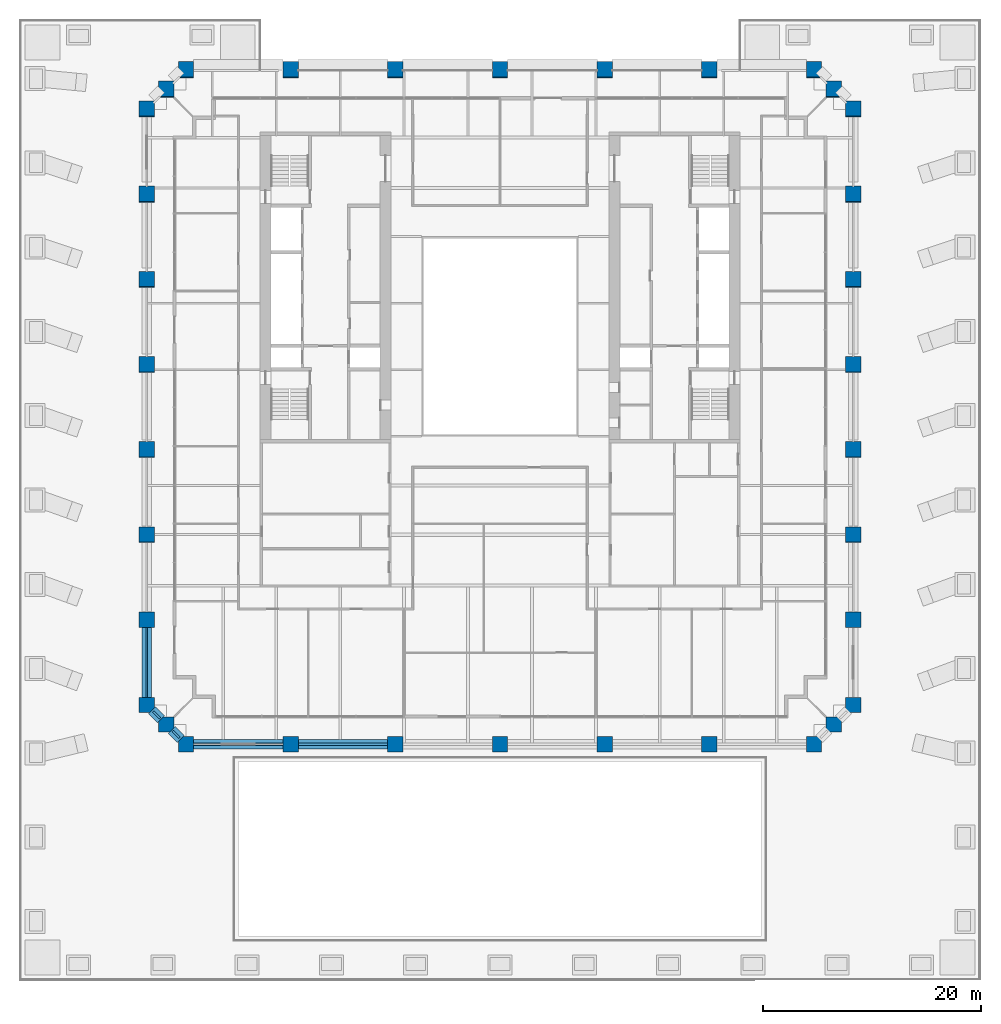
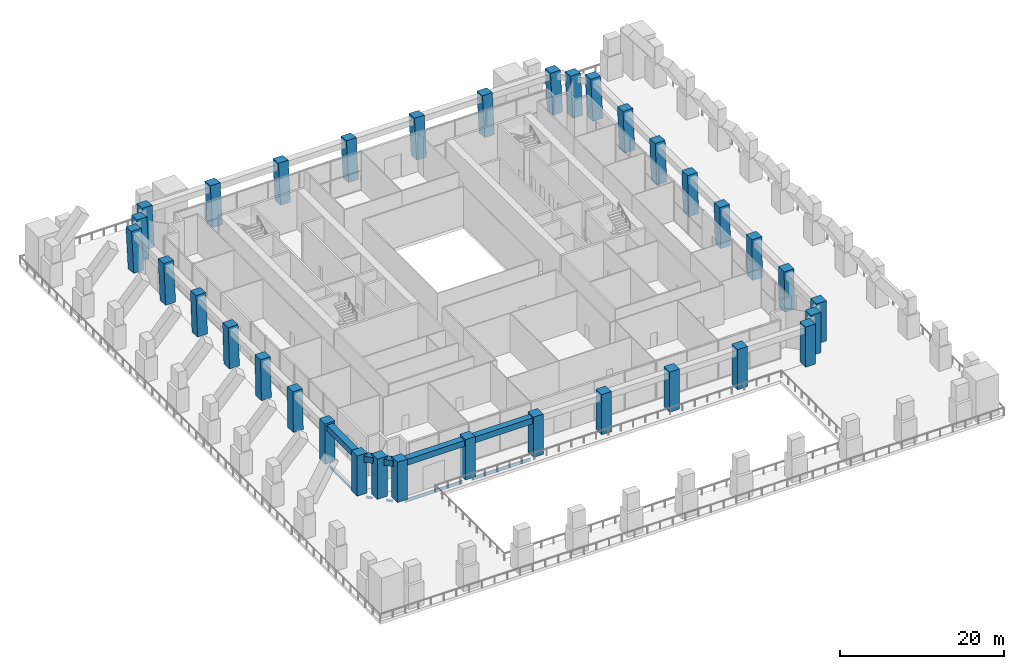
# One storey, part 1 of 20: 34 columns, 10 beams.
"""IFC4 building model written with IfcOpenShell, lengths in metres."""

import ifcopenshell
import ifcopenshell.guid

model = None  # the IFC model being written
_history = None  # IfcOwnerHistory: only IFC2X3 demands one
_inside = {}  # id of a spatial element -> (the spatial element, [elements in it])
_under = {}  # id of a project, library or spatial element -> (it, [spatial elements below it])
_declared = {}  # id of a project -> (the project, [libraries it declares])
_typed = {}  # id of a type object -> (the type object, [elements of that type])
_made_of = {}  # id of a material, layer set ... -> (it, [elements and type objects made of it])


def new_model(schema):
    """Start an empty IFC model of exactly this schema.

    Asked for "IFC4X3", IfcOpenShell would pick the latest addendum, in which some entities
    have other attributes; the version numbers below select the first issue.
    IFC2X3 requires an IfcOwnerHistory on every rooted entity: one is made here for all.
    """
    global model, _history
    if schema == "IFC4X3":
        model = ifcopenshell.file(schema_version=(4, 3, 0, 0))
    else:
        model = ifcopenshell.file(schema=schema)
    _inside.clear()
    _under.clear()
    _declared.clear()
    _typed.clear()
    _made_of.clear()
    _history = None
    if model.schema == "IFC2X3":
        org = make("IfcOrganization", Name="unknown")
        user = make(
            "IfcPersonAndOrganization",
            ThePerson=make("IfcPerson", FamilyName="unknown"),
            TheOrganization=org,
        )
        app = make(
            "IfcApplication",
            ApplicationDeveloper=org,
            Version="unknown",
            ApplicationFullName="unknown",
            ApplicationIdentifier="unknown",
        )
        _history = make(
            "IfcOwnerHistory",
            OwningUser=user,
            OwningApplication=app,
            ChangeAction="ADDED",
            CreationDate=0,
        )
    return model


def make(cls, **values):
    """One entity of the class cls with the attributes given. An attribute that is None is left unset."""
    return model.create_entity(
        cls, **{name: value for name, value in values.items() if value is not None}
    )


def rooted(cls, **values):
    """An entity with a GlobalId (a new one), such as an element, a storey or a relation."""
    return make(cls, GlobalId=ifcopenshell.guid.new(), OwnerHistory=_history, **values)


def si_unit(unit_type, name, prefix=None):
    """IfcSIUnit, for example si_unit("LENGTHUNIT", "METRE", prefix="MILLI")."""
    return make("IfcSIUnit", UnitType=unit_type, Prefix=prefix, Name=name)


def assignment(units):
    """IfcUnitAssignment: the units of a project."""
    return None if units is None else make("IfcUnitAssignment", Units=units)


def point(xyz):
    """IfcCartesianPoint."""
    return None if xyz is None else make("IfcCartesianPoint", Coordinates=xyz)


def direction(xyz):
    """IfcDirection."""
    return None if xyz is None else make("IfcDirection", DirectionRatios=xyz)


def frame(location, z_axis=None, x_axis=None):
    """IfcAxis2Placement3D, a coordinate frame: its origin and axes. An axis left out is left unset."""
    return make(
        "IfcAxis2Placement3D",
        Location=point(location),
        Axis=direction(z_axis),
        RefDirection=direction(x_axis),
    )


def frame_2d(location, x_axis=None):
    """IfcAxis2Placement2D, a coordinate frame in the plane: its origin and x axis."""
    return make(
        "IfcAxis2Placement2D", Location=point(location), RefDirection=direction(x_axis)
    )


def origin():
    """The frame at (0, 0, 0) with its axes left unset."""
    return frame((0.0, 0.0, 0.0))


def origin_2d():
    """The frame at (0, 0) in the plane with its x axis left unset."""
    return frame_2d((0.0, 0.0))


def place(relative_to, where):
    """IfcLocalPlacement: puts the frame where relative to a parent placement (None: the world)."""
    return make(
        "IfcLocalPlacement", PlacementRelTo=relative_to, RelativePlacement=where
    )


def context(
    kind, dimensions, precision=None, world=None, true_north=None, identifier=None
):
    """IfcGeometricRepresentationContext, for example the 3D "Model" context."""
    return make(
        "IfcGeometricRepresentationContext",
        ContextIdentifier=identifier,
        ContextType=kind,
        CoordinateSpaceDimension=dimensions,
        Precision=precision,
        WorldCoordinateSystem=world,
        TrueNorth=true_north,
    )


def subcontext(parent, identifier, kind, view, scale=None):
    """IfcGeometricRepresentationSubContext, for example "Body" below "Model"."""
    return make(
        "IfcGeometricRepresentationSubContext",
        ContextIdentifier=identifier,
        ContextType=kind,
        ParentContext=parent,
        TargetScale=scale,
        TargetView=view,
    )


def project(units=None, contexts=None):
    """IfcProject with its units and contexts."""
    return rooted(
        "IfcProject",
        Name="project",
        RepresentationContexts=contexts,
        UnitsInContext=assignment(units),
    )


def spatial(cls, under=None, at=None, **own):
    """A site, building, storey or space (cls), placed at a placement, below another one or the project."""
    s = rooted(cls, ObjectPlacement=at, **own)
    if under is not None:
        _under.setdefault(under.id(), (under, []))[1].append(s)
    return s


def profile(cls, at=None, kind="AREA", **sizes):
    """A parametric profile (cls). Its sizes go by their IFC names, for example OverallWidth=200.0."""
    return make(cls, ProfileType=kind, Position=at, **sizes)


def rectangle(**sizes):
    """IfcRectangleProfileDef."""
    return profile("IfcRectangleProfileDef", **sizes)


def i_section(**sizes):
    """IfcIShapeProfileDef."""
    return profile("IfcIShapeProfileDef", **sizes)


def extrude(swept, where, along, depth):
    """IfcExtrudedAreaSolid: the profile swept, set in the frame where, extruded along a direction by depth."""
    return make(
        "IfcExtrudedAreaSolid",
        SweptArea=swept,
        Position=where,
        ExtrudedDirection=direction(along),
        Depth=depth,
    )


def shape(context_of_items, identifier, shape_type, items):
    """IfcShapeRepresentation: the items that make up one representation, for example the "Body"."""
    return make(
        "IfcShapeRepresentation",
        ContextOfItems=context_of_items,
        RepresentationIdentifier=identifier,
        RepresentationType=shape_type,
        Items=items,
    )


def material(Name=None, Category=None):
    """IfcMaterial."""
    return make("IfcMaterial", Name=Name, Category=Category)


def material_profile(
    of_material, cross_section, Name=None, Category=None, Priority=None
):
    """IfcMaterialProfile: a cross section and its material."""
    return make(
        "IfcMaterialProfile",
        Name=Name,
        Material=of_material,
        Profile=cross_section,
        Priority=Priority,
        Category=Category,
    )


def profile_set(profiles, Name=None, composite=None):
    """IfcMaterialProfileSet."""
    return make(
        "IfcMaterialProfileSet",
        Name=Name,
        MaterialProfiles=profiles,
        CompositeProfile=composite,
    )


def made_of(thing, what):
    """Note that an element or type object is made of a material, layer set ...; save() writes the relation."""
    if what is not None:
        _made_of.setdefault(what.id(), (what, []))[1].append(thing)
    return thing


def type_object(cls, material=None, **own):
    """A type object (cls), such as IfcWallType, which elements share."""
    return made_of(rooted(cls, **own), material)


def element(
    cls,
    number,
    at=None,
    inside=None,
    cuts=None,
    type_object=None,
    material=None,
    context=None,
    identifier="Body",
    shape_type=None,
    held_by="IfcProductDefinitionShape",
    body=None,
    shapes=None,
    **own,
):
    """One element of the class cls, such as IfcWall. Its Tag is "e" and its number.

    at: its placement. inside: the storey or other place that contains it. cuts: it is an
    opening in that element (IfcRelVoidsElement). A single representation is given by context,
    identifier, shape_type and body (its items); several are given by shapes. held_by: the class
    of the entity that holds the representations. save() writes the other relations.
    """
    e = rooted(cls, Tag="e%d" % number, ObjectPlacement=at, **own)
    if body is not None:
        shapes = [shape(context, identifier, shape_type, body)]
    if shapes is not None:
        e.Representation = make(held_by, Representations=shapes)
    if inside is not None:
        _inside.setdefault(inside.id(), (inside, []))[1].append(e)
    if cuts is not None:
        rooted(
            "IfcRelVoidsElement", RelatingBuildingElement=cuts, RelatedOpeningElement=e
        )
    if type_object is not None:
        _typed.setdefault(type_object.id(), (type_object, []))[1].append(e)
    return made_of(e, material)


def aggregate(whole, parts):
    """IfcRelAggregates: a whole, such as a stair, and the parts it consists of."""
    return rooted("IfcRelAggregates", RelatingObject=whole, RelatedObjects=parts)


def save(model, path):
    """Write the relations noted so far, then the file.

    IfcRelAggregates (storeys below a building ...), IfcRelContainedInSpatialStructure (elements
    in a storey), IfcRelDefinesByType, IfcRelAssociatesMaterial and IfcRelDeclares: one each for
    every whole, place, type object, material and project.
    """
    for whole, parts in _under.values():
        aggregate(whole, parts)
    for where, things in _inside.values():
        rooted(
            "IfcRelContainedInSpatialStructure",
            RelatedElements=things,
            RelatingStructure=where,
        )
    for kind, things in _typed.values():
        rooted("IfcRelDefinesByType", RelatedObjects=things, RelatingType=kind)
    for what, things in _made_of.values():
        rooted("IfcRelAssociatesMaterial", RelatedObjects=things, RelatingMaterial=what)
    for by, libraries in _declared.values():
        rooted("IfcRelDeclares", RelatingContext=by, RelatedDefinitions=libraries)
    model.write(path)


model = new_model("IFC4")

# Units and contexts
model_context = context("Model", 3, precision=1e-05, world=origin(), true_north=direction((0.0, 1.0)))
body_context = subcontext(model_context, "Body", "Model", "MODEL_VIEW")
ifc_project = project(units=[si_unit("LENGTHUNIT", "METRE"), si_unit("AREAUNIT", "SQUARE_METRE"), si_unit("VOLUMEUNIT", "CUBIC_METRE"), si_unit("PLANEANGLEUNIT", "RADIAN"), si_unit("MASSUNIT", "GRAM", prefix="KILO")], contexts=[model_context])

# Site, building, storey
site_placement = place(None, origin())
site = spatial("IfcSite", under=ifc_project, at=site_placement, CompositionType="ELEMENT")
building_placement = place(site_placement, origin())
building = spatial("IfcBuilding", under=site, at=building_placement, Name="Ogive Exchange Tower", CompositionType="ELEMENT")
storey_placement = place(building_placement, frame((0.0, 0.0, 33.60009765625)))
storey = spatial("IfcBuildingStorey", under=building, at=storey_placement, Name="L06", CompositionType="ELEMENT", Elevation=33.60009765625)

# Columns
ifc_material_1 = material(Name="Precast concrete C70/85 (limestone faced)", Category="masonry")
ifc_material_profile_1 = material_profile(ifc_material_1, rectangle(XDim=1.39990234375, YDim=1.39990234375, at=origin_2d()), Name="1400 x 1400")
ifc_profile_set_1 = profile_set([ifc_material_profile_1], Name="Precast concrete C70/85 (limestone faced)")
column_type = type_object("IfcColumnType", Name="Precast exoskeleton leg 1400 x 1400 C70/85", PredefinedType="COLUMN", material=ifc_profile_set_1)
for number, where, z_axis, x_axis, name in (
    (1, (-28.800048828125, -30.39990234375, 0.0), (0.0, 0.0, 1.0), (1.0, 0.0, 0.0), "Exoskeleton leg 1"),
    (2, (-19.199951171875, -30.39990234375, 0.0), (0.0, 0.0, 1.0), (1.0, 0.0, 0.0), "Exoskeleton leg 2"),
    (3, (-9.60009765625, -30.39990234375, 0.0), (0.0, 0.0, 1.0), (1.0, 0.0, 0.0), "Exoskeleton leg 3"),
    (4, (0.0, -30.39990234375, 0.0), (0.0, 0.0, 1.0), (1.0, 0.0, 0.0), "Exoskeleton leg 4"),
    (5, (9.60009765625, -30.39990234375, 0.0), (0.0, 0.0, 1.0), (1.0, 0.0, 0.0), "Exoskeleton leg 5"),
    (6, (19.199951171875, -30.39990234375, 0.0), (0.0, 0.0, 1.0), (1.0, 0.0, 0.0), "Exoskeleton leg 6"),
    (7, (28.800048828125, -30.39990234375, 0.0), (0.0, 0.0, 1.0), (1.0, 0.0, 0.0), "Exoskeleton leg 7"),
    (8, (32.39990234375, -26.800048828125, 0.0), (0.0, 0.0, 1.0), (1.0, 0.0, 0.0), "Exoskeleton leg 8"),
):
    element("IfcColumn", number, at=place(storey_placement, frame(where, z_axis=z_axis, x_axis=x_axis)), inside=storey, type_object=column_type, Name=name, PredefinedType="COLUMN", context=body_context, shape_type="SweptSolid", body=[
        extrude(rectangle(XDim=1.39990234375, YDim=1.39990234375, at=origin_2d()), origin(), (0.0, 0.0, 1.0), 6.0),
    ])
column_1_placement = place(storey_placement, frame((32.39990234375, -18.999755859375, 0.011962890625), z_axis=(0.0, 0.012964213952, 0.999915961047), x_axis=(-1.0, 0.0, 0.0)))
element("IfcColumn", 9, at=column_1_placement, inside=storey, type_object=column_type, Name="Exoskeleton leg 9", PredefinedType="COLUMN", context=body_context, shape_type="SweptSolid", body=[
    extrude(rectangle(XDim=1.39990234375, YDim=1.39990234375, at=origin_2d()), origin(), (0.0, 0.0, 1.0), 5.988525390625),
])
column_2_placement = place(storey_placement, frame((32.39990234375, -11.199462890625, 0.02099609375), z_axis=(0.0, 0.025961030616, 0.999662955645), x_axis=(-1.0, 0.0, 0.0)))
element("IfcColumn", 10, at=column_2_placement, inside=storey, type_object=column_type, Name="Exoskeleton leg 10", PredefinedType="COLUMN", context=body_context, shape_type="SweptSolid", body=[
    extrude(rectangle(XDim=1.39990234375, YDim=1.39990234375, at=origin_2d()), origin(), (0.0, 0.0, 1.0), 5.98095703125),
])
column_3_placement = place(storey_placement, frame((32.39990234375, -3.398681640625, 0.0302734375), z_axis=(0.0, 0.038903946225, 0.999242954925), x_axis=(-1.0, 0.0, 0.0)))
element("IfcColumn", 11, at=column_3_placement, inside=storey, type_object=column_type, Name="Exoskeleton leg 11", PredefinedType="COLUMN", context=body_context, shape_type="SweptSolid", body=[
    extrude(rectangle(XDim=1.39990234375, YDim=1.39990234375, at=origin_2d()), origin(), (0.0, 0.0, 1.0), 5.974365234375),
])
column_4_placement = place(storey_placement, frame((32.39990234375, 4.402099609375, 0.039306640625), z_axis=(0.0, 0.051865385214, 0.998654085165), x_axis=(-1.0, 0.0, 0.0)))
element("IfcColumn", 12, at=column_4_placement, inside=storey, type_object=column_type, Name="Exoskeleton leg 12", PredefinedType="COLUMN", context=body_context, shape_type="SweptSolid", body=[
    extrude(rectangle(XDim=1.39990234375, YDim=1.39990234375, at=origin_2d()), origin(), (0.0, 0.0, 1.0), 5.96875),
])
column_5_placement = place(storey_placement, frame((32.39990234375, 12.203125, 0.04833984375), z_axis=(0.0, 0.064799124357, 0.997898328229), x_axis=(-1.0, 0.0, 0.0)))
element("IfcColumn", 13, at=column_5_placement, inside=storey, type_object=column_type, Name="Exoskeleton leg 13", PredefinedType="COLUMN", context=body_context, shape_type="SweptSolid", body=[
    extrude(rectangle(XDim=1.39990234375, YDim=1.39990234375, at=origin_2d()), origin(), (0.0, 0.0, 1.0), 5.964111328125),
])
column_6_placement = place(storey_placement, frame((32.39990234375, 20.00439453125, 0.057373046875), z_axis=(0.0, 0.077698744788, 0.996976882911), x_axis=(-1.0, 0.0, 0.0)))
element("IfcColumn", 14, at=column_6_placement, inside=storey, type_object=column_type, Name="Exoskeleton leg 14", PredefinedType="COLUMN", context=body_context, shape_type="SweptSolid", body=[
    extrude(rectangle(XDim=1.39990234375, YDim=1.39990234375, at=origin_2d()), origin(), (0.0, 0.0, 1.0), 5.960693359375),
])
for number, where, z_axis, x_axis, name in (
    (15, (32.39990234375, 27.80615234375, 0.06640625), (0.0, 0.090517272977, 0.995894885665), (-1.0, 0.0, 0.0), "Exoskeleton leg 15"),
    (16, (28.800048828125, 31.406005859375, 0.06640625), (0.0, 0.090557913598, 0.995891190987), (-1.0, 0.0, 0.0), "Exoskeleton leg 16"),
    (17, (19.199951171875, 31.406005859375, 0.06640625), (0.0, 0.090557913598, 0.995891190987), (-1.0, 0.0, 0.0), "Exoskeleton leg 17"),
    (18, (9.60009765625, 31.406005859375, 0.06640625), (0.0, 0.090557913598, 0.995891190987), (-1.0, 0.0, 0.0), "Exoskeleton leg 18"),
    (19, (0.0, 31.406005859375, 0.06640625), (0.0, 0.090557913598, 0.995891190987), (-1.0, 0.0, 0.0), "Exoskeleton leg 19"),
    (20, (-9.60009765625, 31.406005859375, 0.06640625), (0.0, 0.090557913598, 0.995891190987), (-1.0, 0.0, 0.0), "Exoskeleton leg 20"),
    (21, (-19.199951171875, 31.406005859375, 0.06640625), (0.0, 0.090557913598, 0.995891190987), (-1.0, 0.0, 0.0), "Exoskeleton leg 21"),
    (22, (-28.800048828125, 31.406005859375, 0.06640625), (0.0, 0.090557913598, 0.995891190987), (-1.0, 0.0, 0.0), "Exoskeleton leg 22"),
    (23, (-32.39990234375, 27.80615234375, 0.06640625), (0.0, 0.090517272977, 0.995894885665), (-1.0, 0.0, 0.0), "Exoskeleton leg 23"),
):
    element("IfcColumn", number, at=place(storey_placement, frame(where, z_axis=z_axis, x_axis=x_axis)), inside=storey, type_object=column_type, Name=name, PredefinedType="COLUMN", context=body_context, shape_type="SweptSolid", body=[
        extrude(rectangle(XDim=1.39990234375, YDim=1.39990234375, at=origin_2d()), origin(), (0.0, 0.0, 1.0), 5.9580078125),
    ])
column_7_placement = place(storey_placement, frame((-32.39990234375, 20.00439453125, 0.057373046875), z_axis=(0.0, 0.077698744788, 0.996976882911), x_axis=(-1.0, 0.0, 0.0)))
element("IfcColumn", 24, at=column_7_placement, inside=storey, type_object=column_type, Name="Exoskeleton leg 24", PredefinedType="COLUMN", context=body_context, shape_type="SweptSolid", body=[
    extrude(rectangle(XDim=1.39990234375, YDim=1.39990234375, at=origin_2d()), origin(), (0.0, 0.0, 1.0), 5.960693359375),
])
column_8_placement = place(storey_placement, frame((-32.39990234375, 12.203125, 0.04833984375), z_axis=(0.0, 0.064799124357, 0.997898328229), x_axis=(-1.0, 0.0, 0.0)))
element("IfcColumn", 25, at=column_8_placement, inside=storey, type_object=column_type, Name="Exoskeleton leg 25", PredefinedType="COLUMN", context=body_context, shape_type="SweptSolid", body=[
    extrude(rectangle(XDim=1.39990234375, YDim=1.39990234375, at=origin_2d()), origin(), (0.0, 0.0, 1.0), 5.964111328125),
])
column_9_placement = place(storey_placement, frame((-32.39990234375, 4.402099609375, 0.039306640625), z_axis=(0.0, 0.051865385214, 0.998654085165), x_axis=(-1.0, 0.0, 0.0)))
element("IfcColumn", 26, at=column_9_placement, inside=storey, type_object=column_type, Name="Exoskeleton leg 26", PredefinedType="COLUMN", context=body_context, shape_type="SweptSolid", body=[
    extrude(rectangle(XDim=1.39990234375, YDim=1.39990234375, at=origin_2d()), origin(), (0.0, 0.0, 1.0), 5.96875),
])
column_10_placement = place(storey_placement, frame((-32.39990234375, -3.398681640625, 0.0302734375), z_axis=(0.0, 0.038903946225, 0.999242954925), x_axis=(-1.0, 0.0, 0.0)))
element("IfcColumn", 27, at=column_10_placement, inside=storey, type_object=column_type, Name="Exoskeleton leg 27", PredefinedType="COLUMN", context=body_context, shape_type="SweptSolid", body=[
    extrude(rectangle(XDim=1.39990234375, YDim=1.39990234375, at=origin_2d()), origin(), (0.0, 0.0, 1.0), 5.974365234375),
])
column_11_placement = place(storey_placement, frame((-32.39990234375, -11.199462890625, 0.02099609375), z_axis=(0.0, 0.025961030616, 0.999662955645), x_axis=(-1.0, 0.0, 0.0)))
element("IfcColumn", 28, at=column_11_placement, inside=storey, type_object=column_type, Name="Exoskeleton leg 28", PredefinedType="COLUMN", context=body_context, shape_type="SweptSolid", body=[
    extrude(rectangle(XDim=1.39990234375, YDim=1.39990234375, at=origin_2d()), origin(), (0.0, 0.0, 1.0), 5.98095703125),
])
column_12_placement = place(storey_placement, frame((-32.39990234375, -18.999755859375, 0.011962890625), z_axis=(0.0, 0.012964213952, 0.999915961047), x_axis=(-1.0, 0.0, 0.0)))
element("IfcColumn", 29, at=column_12_placement, inside=storey, type_object=column_type, Name="Exoskeleton leg 29", PredefinedType="COLUMN", context=body_context, shape_type="SweptSolid", body=[
    extrude(rectangle(XDim=1.39990234375, YDim=1.39990234375, at=origin_2d()), origin(), (0.0, 0.0, 1.0), 5.988525390625),
])
for number, where, z_axis, x_axis, name in (
    (30, (-32.39990234375, -26.800048828125, 0.0), (0.0, 0.0, 1.0), (1.0, 0.0, 0.0), "Exoskeleton leg 30"),
    (31, (30.60009765625, -28.60009765625, 0.0), (0.0, 0.0, 1.0), (1.0, 0.0, 0.0), "Exoskeleton leg 31"),
):
    element("IfcColumn", number, at=place(storey_placement, frame(where, z_axis=z_axis, x_axis=x_axis)), inside=storey, type_object=column_type, Name=name, PredefinedType="COLUMN", context=body_context, shape_type="SweptSolid", body=[
        extrude(rectangle(XDim=1.39990234375, YDim=1.39990234375, at=origin_2d()), origin(), (0.0, 0.0, 1.0), 6.0),
    ])
for number, where, z_axis, x_axis, name in (
    (32, (30.60009765625, 29.606201171875, 0.06640625), (0.0, 0.090517272977, 0.995894885665), (-1.0, 0.0, 0.0), "Exoskeleton leg 32"),
    (33, (-30.60009765625, 29.606201171875, 0.06640625), (0.0, 0.090517272977, 0.995894885665), (-1.0, 0.0, 0.0), "Exoskeleton leg 33"),
):
    element("IfcColumn", number, at=place(storey_placement, frame(where, z_axis=z_axis, x_axis=x_axis)), inside=storey, type_object=column_type, Name=name, PredefinedType="COLUMN", context=body_context, shape_type="SweptSolid", body=[
        extrude(rectangle(XDim=1.39990234375, YDim=1.39990234375, at=origin_2d()), origin(), (0.0, 0.0, 1.0), 5.9580078125),
    ])
column_13_placement = place(storey_placement, frame((-30.60009765625, -28.60009765625, 0.0), z_axis=(0.0, 0.0, 1.0), x_axis=(1.0, 0.0, 0.0)))
element("IfcColumn", 34, at=column_13_placement, inside=storey, type_object=column_type, Name="Exoskeleton leg 34", PredefinedType="COLUMN", context=body_context, shape_type="SweptSolid", body=[
    extrude(rectangle(XDim=1.39990234375, YDim=1.39990234375, at=origin_2d()), origin(), (0.0, 0.0, 1.0), 6.0),
])

# Beams
ifc_material_2 = material(Name="Steel ASTM A992 Gr50", Category="steel")
ifc_material_profile_2 = material_profile(ifc_material_2, i_section(OverallWidth=0.1650390625, OverallDepth=0.31005859375, WebThickness=0.005859375, FlangeThickness=0.009765625, at=origin_2d()), Name="W310x38.7")
ifc_profile_set_2 = profile_set([ifc_material_profile_2], Name="Steel ASTM A992 Gr50")
beam_type_1 = type_object("IfcBeamType", Name="Girder W310x38.7", PredefinedType="BEAM", material=ifc_profile_set_2)
for number, where, z_axis, x_axis, name in (
    (35, (-31.805908203125, -27.39404296875, -0.60498046875), (0.706965712506, -0.707247821729, 0.0), (0.707247821729, 0.706965712506, 0.0), "Girder"),
    (36, (-30.006103515625, -29.194091796875, -0.60498046875), (0.707247821729, -0.706965712506, 0.0), (0.706965712506, 0.707247821729, 0.0), "Girder"),
):
    element("IfcBeam", number, at=place(storey_placement, frame(where, z_axis=z_axis, x_axis=x_axis)), inside=storey, type_object=beam_type_1, Name=name, PredefinedType="BEAM", context=body_context, shape_type="SweptSolid", body=[
        extrude(i_section(OverallWidth=0.1650390625, OverallDepth=0.31005859375, WebThickness=0.005859375, FlangeThickness=0.009765625, at=origin_2d()), origin(), (0.0, 0.0, 1.0), 0.865478515625),
    ])
ifc_material_profile_3 = material_profile(ifc_material_2, i_section(OverallWidth=0.1708984375, OverallDepth=0.35595703125, WebThickness=0.00732421875, FlangeThickness=0.01171875, at=origin_2d()), Name="W360x51")
ifc_profile_set_3 = profile_set([ifc_material_profile_3], Name="Steel ASTM A992 Gr50")
beam_type_2 = type_object("IfcBeamType", Name="Girder W360x51", PredefinedType="BEAM", material=ifc_profile_set_3)
beam_1_placement = place(storey_placement, frame((-32.39990234375, -19.699951171875, -0.628173828125), z_axis=(0.0, -1.0, 0.0), x_axis=(1.0, 0.0, 0.0)))
element("IfcBeam", 37, at=beam_1_placement, inside=storey, type_object=beam_type_2, Name="Girder", PredefinedType="BEAM", context=body_context, shape_type="SweptSolid", body=[
    extrude(i_section(OverallWidth=0.1708984375, OverallDepth=0.35595703125, WebThickness=0.00732421875, FlangeThickness=0.01171875, at=origin_2d()), origin(), (0.0, 0.0, 1.0), 6.400146484375),
])
ifc_material_profile_4 = material_profile(ifc_material_2, i_section(OverallWidth=0.19091796875, OverallDepth=0.45703125, WebThickness=0.009033203125, FlangeThickness=0.014404296875, at=origin_2d()), Name="W460x74")
ifc_profile_set_4 = profile_set([ifc_material_profile_4], Name="Steel ASTM A992 Gr50")
beam_type_3 = type_object("IfcBeamType", Name="Girder W460x74", PredefinedType="BEAM", material=ifc_profile_set_4)
beam_2_placement = place(storey_placement, frame((-28.10009765625, -30.39990234375, -0.6787109375), z_axis=(1.0, 0.0, 0.0), x_axis=(0.0, 1.0, 0.0)))
element("IfcBeam", 38, at=beam_2_placement, inside=storey, type_object=beam_type_3, Name="Girder", PredefinedType="BEAM", context=body_context, shape_type="SweptSolid", body=[
    extrude(i_section(OverallWidth=0.19091796875, OverallDepth=0.45703125, WebThickness=0.009033203125, FlangeThickness=0.014404296875, at=origin_2d()), origin(), (0.0, 0.0, 1.0), 8.2001953125),
])
beam_3_placement = place(storey_placement, frame((-18.5, -30.39990234375, -0.6787109375), z_axis=(1.0, 0.0, 0.0), x_axis=(0.0, 1.0, 0.0)))
element("IfcBeam", 39, at=beam_3_placement, inside=storey, type_object=beam_type_3, Name="Girder", PredefinedType="BEAM", context=body_context, shape_type="SweptSolid", body=[
    extrude(i_section(OverallWidth=0.19091796875, OverallDepth=0.45703125, WebThickness=0.009033203125, FlangeThickness=0.014404296875, at=origin_2d()), origin(), (0.0, 0.0, 1.0), 8.199951171875),
])
ifc_material_profile_5 = material_profile(ifc_material_1, rectangle(XDim=0.89990234375, YDim=0.89990234375, at=origin_2d()), Name="900 x 900")
ifc_profile_set_5 = profile_set([ifc_material_profile_5], Name="Precast concrete C70/85 (limestone faced)")
beam_type_4 = type_object("IfcBeamType", Name="Precast spandrel 900 x 900 C70/85", PredefinedType="SPANDREL", material=ifc_profile_set_5)
beam_4_placement = place(storey_placement, frame((-28.1201171875, -30.39990234375, 5.2998046875), z_axis=(1.0, 0.0, 0.0), x_axis=(0.0, 1.0, 0.0)))
element("IfcBeam", 40, at=beam_4_placement, inside=storey, type_object=beam_type_4, Name="Spandrel 1", PredefinedType="SPANDREL", context=body_context, shape_type="SweptSolid", body=[
    extrude(rectangle(XDim=0.89990234375, YDim=0.89990234375, at=origin_2d()), origin(), (0.0, 0.0, 1.0), 8.240234375),
])
beam_5_placement = place(storey_placement, frame((-18.52001953125, -30.39990234375, 5.2998046875), z_axis=(1.0, 0.0, 0.0), x_axis=(0.0, 1.0, 0.0)))
element("IfcBeam", 41, at=beam_5_placement, inside=storey, type_object=beam_type_4, Name="Spandrel 2", PredefinedType="SPANDREL", context=body_context, shape_type="SweptSolid", body=[
    extrude(rectangle(XDim=0.89990234375, YDim=0.89990234375, at=origin_2d()), origin(), (0.0, 0.0, 1.0), 8.239990234375),
])
beam_6_placement = place(storey_placement, frame((-32.39990234375, -19.60205078125, 5.2998046875), z_axis=(0.0, -1.0, 0.0), x_axis=(1.0, 0.0, 0.0)))
element("IfcBeam", 42, at=beam_6_placement, inside=storey, type_object=beam_type_4, Name="Spandrel 32", PredefinedType="SPANDREL", context=body_context, shape_type="SweptSolid", body=[
    extrude(rectangle(XDim=0.89990234375, YDim=0.89990234375, at=origin_2d()), origin(), (0.0, 0.0, 1.0), 6.51806640625),
])
for number, where, z_axis, x_axis, name in (
    (43, (-31.912109375, -27.287841796875, 5.2998046875), (0.707106781187, -0.707106781187, 0.0), (0.707106781187, 0.707106781187, 0.0), "Spandrel 33"),
    (44, (-30.112060546875, -29.087890625, 5.2998046875), (0.707106781187, -0.707106781187, 0.0), (0.707106781187, 0.707106781187, 0.0), "Spandrel 34"),
):
    element("IfcBeam", number, at=place(storey_placement, frame(where, z_axis=z_axis, x_axis=x_axis)), inside=storey, type_object=beam_type_4, Name=name, PredefinedType="SPANDREL", context=body_context, shape_type="SweptSolid", body=[
        extrude(rectangle(XDim=0.89990234375, YDim=0.89990234375, at=origin_2d()), origin(), (0.0, 0.0, 1.0), 1.16552734375),
    ])

save(model, "model.ifc")
